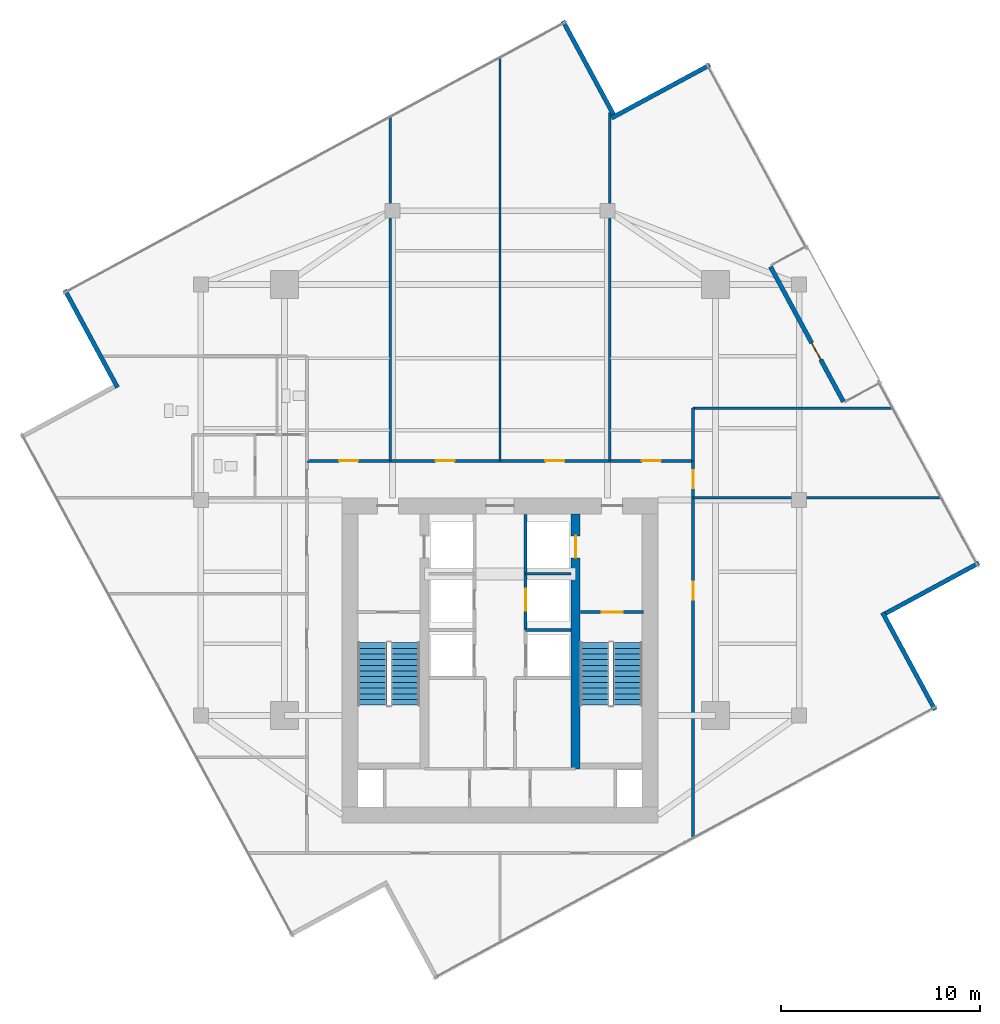
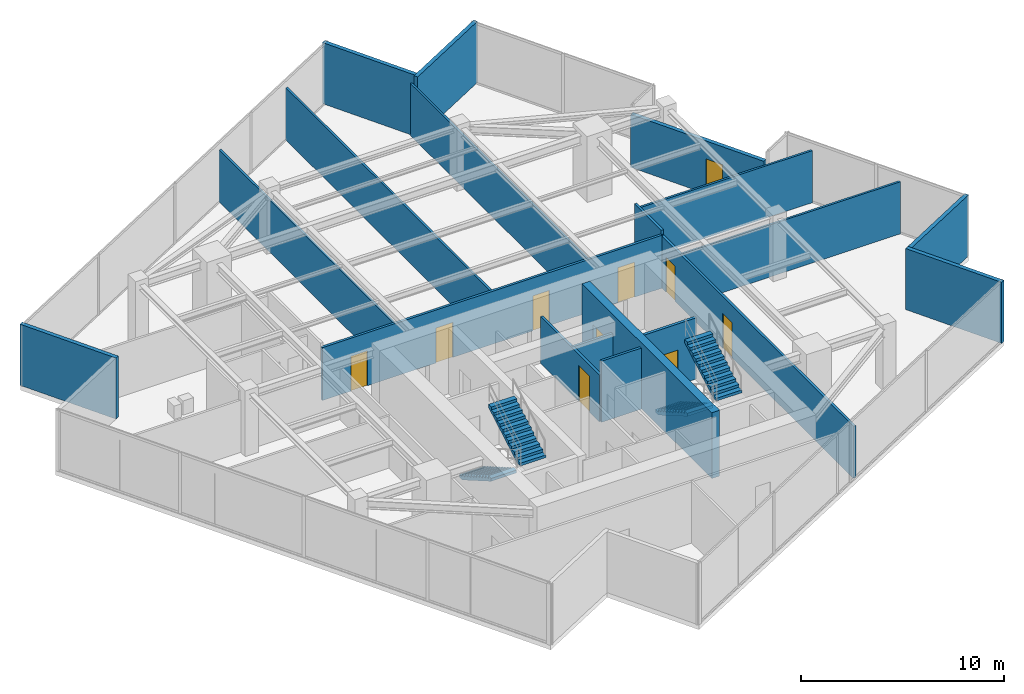
# One storey, part 20 of 22: 19 walls, 10 doors, 4 stair flights, 10 openings, 2 elements without a shape of their own.
"""IFC4 building model written with IfcOpenShell, lengths in metres."""

from ifc_helpers import new_model, si_unit, direction, frame, frame_2d, origin, place, context, subcontext, project, spatial, polyline, rectangle, outline, extrude, material, layer, layer_set, type_object, element, fill, aggregate, save


model = new_model("IFC4")

# Units and contexts
model_context = context("Model", 3, precision=1e-05, world=origin(), true_north=direction((0.0, 1.0)))
body_context = subcontext(model_context, "Body", "Model", "MODEL_VIEW")
ifc_project = project(units=[si_unit("LENGTHUNIT", "METRE"), si_unit("AREAUNIT", "SQUARE_METRE"), si_unit("VOLUMEUNIT", "CUBIC_METRE"), si_unit("PLANEANGLEUNIT", "RADIAN"), si_unit("MASSUNIT", "GRAM", prefix="KILO")], contexts=[model_context])

# Site, building, storey
site_placement = place(None, origin())
site = spatial("IfcSite", under=ifc_project, at=site_placement, CompositionType="ELEMENT")
building_placement = place(site_placement, origin())
building = spatial("IfcBuilding", under=site, at=building_placement, Name="Krantzveldt Concourse Tower", CompositionType="ELEMENT")
storey_placement = place(building_placement, frame((0.0, 0.0, 302.949951171875)))
storey = spatial("IfcBuildingStorey", under=building, at=storey_placement, Name="L74", CompositionType="ELEMENT", Elevation=302.949951171875)

# Walls
ifc_material_1 = material(Name="Anodised aluminium 6063-T6", Category="aluminium")
ifc_layer_1 = layer(ifc_material_1, 0.219970703125, Name="Anodised aluminium 6063-T6", Category="aluminium")
ifc_layer_set_1 = layer_set([ifc_layer_1], Name="Anodised aluminium 6063-T6 (WL-EXT-NOTCH220)")
wall_type_1 = type_object("IfcWallType", Name="WL-EXT-NOTCH220", PredefinedType="ELEMENTEDWALL", material=ifc_layer_set_1)
wall_1_placement = place(storey_placement, frame((41.689208984375, 46.025634765625, 0.0), z_axis=(0.0, 0.0, 1.0), x_axis=(-0.475250431035, 0.879850571291, 0.0)))
element("IfcWall", 1, at=wall_1_placement, inside=storey, type_object=wall_type_1, Name="EW-L74-NCH00", PredefinedType="ELEMENTEDWALL", context=body_context, shape_type="SweptSolid", body=[
    extrude(rectangle(XDim=5.3251953125, YDim=0.219970703125, at=frame_2d((2.66259765625, 0.0))), origin(), (0.0, 0.0, 1.0), 3.670166015625),
])
for number, where, z_axis, x_axis, name in (
    (2, (14.188232421875, 37.223388671875, 0.0), (0.0, 0.0, 1.0), (0.475257315172, -0.879846852796, 0.0), "EW-L74-NCH02"),
    (3, (57.811767578125, 16.176513671875, 0.0), (0.0, 0.0, 1.0), (-0.475257315172, 0.879846852796, 0.0), "EW-L74-NCH08"),
):
    element("IfcWall", number, at=place(storey_placement, frame(where, z_axis=z_axis, x_axis=x_axis)), inside=storey, type_object=wall_type_1, Name=name, PredefinedType="ELEMENTEDWALL", context=body_context, shape_type="SweptSolid", body=[
        extrude(rectangle(XDim=5.544921875, YDim=0.219970703125, at=frame_2d((2.7724609375, 0.0))), origin(), (0.0, 0.0, 1.0), 3.670166015625),
    ])
wall_2_placement = place(storey_placement, frame((55.32568359375, 21.0107421875, 0.0), z_axis=(0.0, 0.0, 1.0), x_axis=(0.879840215515, 0.475269602607, 0.0)))
element("IfcWall", 4, at=wall_2_placement, inside=storey, type_object=wall_type_1, Name="EW-L74-NCH09", PredefinedType="ELEMENTEDWALL", context=body_context, shape_type="SweptSolid", body=[
    extrude(rectangle(XDim=5.324951171875, YDim=0.219970703125, at=frame_2d((2.66259765625, 0.0))), origin(), (0.0, 0.0, 1.0), 3.670166015625),
])

# Wall, opening, door
wall_3_placement = place(storey_placement, frame((49.561279296875, 38.39501953125, 0.0), z_axis=(0.0, 0.0, 1.0), x_axis=(0.475258045718, -0.879846458185, 0.0)))
wall_3 = element("IfcWall", 5, at=wall_3_placement, inside=storey, type_object=wall_type_1, Name="EW-L74-TSLOT", PredefinedType="ELEMENTEDWALL", context=body_context, shape_type="SweptSolid", body=[
    extrude(rectangle(XDim=7.690185546875, YDim=0.219970703125, at=frame_2d((3.84521484375, 0.0))), origin(), (0.0, 0.0, 1.0), 3.179931640625),
])
opening_1_placement = place(wall_3_placement, frame((4.34326171875, 0.0, 0.0)))
opening_1 = element("IfcOpeningElement", 6, at=opening_1_placement, cuts=wall_3, Name="Opening D-EX95", PredefinedType="OPENING", context=body_context, shape_type="SweptSolid", body=[
    extrude(rectangle(XDim=0.949951171875, YDim=2.10009765625, at=frame_2d((0.47509765625, 1.050048828125))), frame((0.0, 0.1201171875, 0.0), z_axis=(0.0, -1.0, 0.0), x_axis=(1.0, 0.0, 0.0)), (0.0, 0.0, 1.0), 0.239990234375),
])
door_type_1 = type_object("IfcDoorType", Name="DR-EXT-950", OperationType="SINGLE_SWING_LEFT", PredefinedType="DOOR", material=ifc_material_1)
door_1_placement = place(opening_1_placement, origin())
door_1 = element("IfcDoor", 7, at=door_1_placement, inside=storey, type_object=door_type_1, Name="DR-L74-TERR", OperationType="SINGLE_SWING_LEFT", OverallHeight=2.10009765625, OverallWidth=0.949951171875, PredefinedType="DOOR", context=body_context, shape_type="SweptSolid", body=[
    extrude(rectangle(XDim=0.949951171875, YDim=2.10009765625, at=frame_2d((0.47509765625, 1.050048828125))), frame((0.0, 0.02490234375, 0.0), z_axis=(0.0, -1.0, 0.0), x_axis=(1.0, 0.0, 0.0)), (0.0, 0.0, 1.0), 0.050048828125),
])
fill(opening_1, door_1)

# Walls
wall_4_placement = place(storey_placement, frame((46.5234375, 48.51171875, 0.0), z_axis=(0.0, 0.0, 1.0), x_axis=(-0.879863910566, -0.475225734661, 0.0)))
element("IfcWall", 8, at=wall_4_placement, inside=storey, type_object=wall_type_1, Name="EW-L74-NCH15", PredefinedType="ELEMENTEDWALL", context=body_context, shape_type="SweptSolid", body=[
    extrude(rectangle(XDim=5.610107421875, YDim=0.219970703125, at=frame_2d((2.80517578125, 0.0))), origin(), (0.0, 0.0, 1.0), 3.670166015625),
])
ifc_material_2 = material(Name="Fire-rated gypsum plasterboard on steel stud", Category="steel")
ifc_layer_2 = layer(ifc_material_2, 0.1201171875, Name="Fire-rated gypsum plasterboard on steel stud", Category="steel")
ifc_layer_set_2 = layer_set([ifc_layer_2], Name="Fire-rated gypsum plasterboard on steel stud (WL-PART-120)")
wall_type_2 = type_object("IfcWallType", Name="WL-PART-120", PredefinedType="PARTITIONING", material=ifc_layer_set_2)
wall_5_placement = place(storey_placement, frame((45.679931640625, 26.820068359375, 0.0), z_axis=(0.0, 0.0, 1.0), x_axis=(1.0, 0.0, 0.0)))
element("IfcWall", 9, at=wall_5_placement, inside=storey, type_object=wall_type_2, Name="WP-L74-PNTS", PredefinedType="PARTITIONING", context=body_context, shape_type="SweptSolid", body=[
    extrude(rectangle(XDim=12.429443359375, YDim=0.1201171875, at=frame_2d((6.21484375, 0.0))), origin(), (0.0, 0.0, 1.0), 3.130126953125),
])
wall_6_placement = place(storey_placement, frame((45.679931640625, 31.300048828125, 0.0), z_axis=(0.0, 0.0, 1.0), x_axis=(1.0, 0.0, 0.0)))
element("IfcWall", 10, at=wall_6_placement, inside=storey, type_object=wall_type_2, Name="WP-L74-PNTN", PredefinedType="PARTITIONING", context=body_context, shape_type="SweptSolid", body=[
    extrude(rectangle(XDim=10.009521484375, YDim=0.1201171875, at=frame_2d((5.0048828125, 0.0))), origin(), (0.0, 0.0, 1.0), 3.130126953125),
])
wall_7_placement = place(storey_placement, frame((30.5, 28.659912109375, 0.0), z_axis=(0.0, 0.0, 1.0), x_axis=(0.0, 1.0, 0.0)))
element("IfcWall", 11, at=wall_7_placement, inside=storey, type_object=wall_type_2, Name="WP-L74-ND1", PredefinedType="PARTITIONING", context=body_context, shape_type="SweptSolid", body=[
    extrude(rectangle(XDim=17.243408203125, YDim=0.1201171875, at=frame_2d((8.62158203125, 0.0))), origin(), (0.0, 0.0, 1.0), 3.130126953125),
])
wall_8_placement = place(storey_placement, frame((36.0, 28.659912109375, 0.0), z_axis=(0.0, 0.0, 1.0), x_axis=(0.0, 1.0, 0.0)))
element("IfcWall", 12, at=wall_8_placement, inside=storey, type_object=wall_type_2, Name="WP-L74-ND2", PredefinedType="PARTITIONING", context=body_context, shape_type="SweptSolid", body=[
    extrude(rectangle(XDim=20.214111328125, YDim=0.1201171875, at=frame_2d((10.10693359375, 0.0))), origin(), (0.0, 0.0, 1.0), 3.130126953125),
])
wall_9_placement = place(storey_placement, frame((41.5, 28.659912109375, 0.0), z_axis=(0.0, 0.0, 1.0), x_axis=(0.0, 1.0, 0.0)))
element("IfcWall", 13, at=wall_9_placement, inside=storey, type_object=wall_type_2, Name="WP-L74-ND3", PredefinedType="PARTITIONING", context=body_context, shape_type="SweptSolid", body=[
    extrude(rectangle(XDim=17.47412109375, YDim=0.1201171875, at=frame_2d((8.737060546875, 0.0))), origin(), (0.0, 0.0, 1.0), 3.130126953125),
])

# Wall, openings, doors
ifc_layer_3 = layer(ifc_material_2, 0.139892578125, Name="Fire-rated gypsum plasterboard on steel stud", Category="steel")
ifc_layer_set_3 = layer_set([ifc_layer_3], Name="Fire-rated gypsum plasterboard on steel stud (WL-PART-140)")
wall_type_3 = type_object("IfcWallType", Name="WL-PART-140", PredefinedType="PARTITIONING", material=ifc_layer_set_3)
wall_10_placement = place(storey_placement, frame((26.320068359375, 28.659912109375, 0.0), z_axis=(0.0, 0.0, 1.0), x_axis=(1.0, 0.0, 0.0)))
wall_10 = element("IfcWall", 14, at=wall_10_placement, inside=storey, type_object=wall_type_3, Name="WP-L74-CNHDR", PredefinedType="PARTITIONING", context=body_context, shape_type="SweptSolid", body=[
    extrude(rectangle(XDim=19.35986328125, YDim=0.139892578125, at=frame_2d((9.679931640625, 0.0))), origin(), (0.0, 0.0, 1.0), 3.179931640625),
])
opening_2_placement = place(wall_10_placement, frame((1.614990234375, 0.0, 0.0)))
opening_2 = element("IfcOpeningElement", 15, at=opening_2_placement, cuts=wall_10, Name="Opening D-IN095", PredefinedType="OPENING", context=body_context, shape_type="SweptSolid", body=[
    extrude(rectangle(XDim=0.949951171875, YDim=2.10009765625, at=frame_2d((0.47509765625, 1.050048828125))), frame((0.0, 0.080078125, 0.0), z_axis=(0.0, -1.0, 0.0), x_axis=(1.0, 0.0, 0.0)), (0.0, 0.0, 1.0), 0.159912109375),
])
opening_3_placement = place(wall_10_placement, frame((6.455078125, 0.0, 0.0)))
opening_3 = element("IfcOpeningElement", 16, at=opening_3_placement, cuts=wall_10, Name="Opening D-IN095", PredefinedType="OPENING", context=body_context, shape_type="SweptSolid", body=[
    extrude(rectangle(XDim=0.949951171875, YDim=2.10009765625, at=frame_2d((0.47509765625, 1.050048828125))), frame((0.0, 0.080078125, 0.0), z_axis=(0.0, -1.0, 0.0), x_axis=(1.0, 0.0, 0.0)), (0.0, 0.0, 1.0), 0.159912109375),
])
opening_4_placement = place(wall_10_placement, frame((11.955078125, 0.0, 0.0)))
opening_4 = element("IfcOpeningElement", 17, at=opening_4_placement, cuts=wall_10, Name="Opening D-IN095", PredefinedType="OPENING", context=body_context, shape_type="SweptSolid", body=[
    extrude(rectangle(XDim=0.949951171875, YDim=2.10009765625, at=frame_2d((0.47509765625, 1.050048828125))), frame((0.0, 0.080078125, 0.0), z_axis=(0.0, -1.0, 0.0), x_axis=(1.0, 0.0, 0.0)), (0.0, 0.0, 1.0), 0.159912109375),
])
opening_5_placement = place(wall_10_placement, frame((16.794921875, 0.0, 0.0)))
opening_5 = element("IfcOpeningElement", 18, at=opening_5_placement, cuts=wall_10, Name="Opening D-IN095", PredefinedType="OPENING", context=body_context, shape_type="SweptSolid", body=[
    extrude(rectangle(XDim=0.949951171875, YDim=2.10009765625, at=frame_2d((0.47509765625, 1.050048828125))), frame((0.0, 0.080078125, 0.0), z_axis=(0.0, -1.0, 0.0), x_axis=(1.0, 0.0, 0.0)), (0.0, 0.0, 1.0), 0.159912109375),
])
ifc_material_3 = material(Name="Hardwood timber", Category="wood")
door_type_2 = type_object("IfcDoorType", Name="DR-INT-950", OperationType="SINGLE_SWING_LEFT", PredefinedType="DOOR", material=ifc_material_3)
door_2_placement = place(opening_2_placement, origin())
door_2 = element("IfcDoor", 19, at=door_2_placement, inside=storey, type_object=door_type_2, Name="DR-L74-NR1", OperationType="SINGLE_SWING_LEFT", OverallHeight=2.10009765625, OverallWidth=0.949951171875, PredefinedType="DOOR", context=body_context, shape_type="SweptSolid", body=[
    extrude(rectangle(XDim=0.949951171875, YDim=2.10009765625, at=frame_2d((0.47509765625, 1.050048828125))), frame((0.0, 0.02490234375, 0.0), z_axis=(0.0, -1.0, 0.0), x_axis=(1.0, 0.0, 0.0)), (0.0, 0.0, 1.0), 0.050048828125),
])
fill(opening_2, door_2)
door_3_placement = place(opening_3_placement, origin())
door_3 = element("IfcDoor", 20, at=door_3_placement, inside=storey, type_object=door_type_2, Name="DR-L74-NR2", OperationType="SINGLE_SWING_LEFT", OverallHeight=2.10009765625, OverallWidth=0.949951171875, PredefinedType="DOOR", context=body_context, shape_type="SweptSolid", body=[
    extrude(rectangle(XDim=0.949951171875, YDim=2.10009765625, at=frame_2d((0.47509765625, 1.050048828125))), frame((0.0, 0.02490234375, 0.0), z_axis=(0.0, -1.0, 0.0), x_axis=(1.0, 0.0, 0.0)), (0.0, 0.0, 1.0), 0.050048828125),
])
fill(opening_3, door_3)
door_4_placement = place(opening_4_placement, origin())
door_4 = element("IfcDoor", 21, at=door_4_placement, inside=storey, type_object=door_type_2, Name="DR-L74-NR3", OperationType="SINGLE_SWING_LEFT", OverallHeight=2.10009765625, OverallWidth=0.949951171875, PredefinedType="DOOR", context=body_context, shape_type="SweptSolid", body=[
    extrude(rectangle(XDim=0.949951171875, YDim=2.10009765625, at=frame_2d((0.47509765625, 1.050048828125))), frame((0.0, 0.02490234375, 0.0), z_axis=(0.0, -1.0, 0.0), x_axis=(1.0, 0.0, 0.0)), (0.0, 0.0, 1.0), 0.050048828125),
])
fill(opening_4, door_4)
door_5_placement = place(opening_5_placement, origin())
door_5 = element("IfcDoor", 22, at=door_5_placement, inside=storey, type_object=door_type_2, Name="DR-L74-NR4", OperationType="SINGLE_SWING_LEFT", OverallHeight=2.10009765625, OverallWidth=0.949951171875, PredefinedType="DOOR", context=body_context, shape_type="SweptSolid", body=[
    extrude(rectangle(XDim=0.949951171875, YDim=2.10009765625, at=frame_2d((0.47509765625, 1.050048828125))), frame((0.0, 0.02490234375, 0.0), z_axis=(0.0, -1.0, 0.0), x_axis=(1.0, 0.0, 0.0)), (0.0, 0.0, 1.0), 0.050048828125),
])
fill(opening_5, door_5)

wall_11_placement = place(storey_placement, frame((45.679931640625, 9.75439453125, 0.0), z_axis=(0.0, 0.0, 1.0), x_axis=(0.0, 1.0, 0.0)))
wall_11 = element("IfcWall", 23, at=wall_11_placement, inside=storey, type_object=wall_type_3, Name="WP-L74-CEAST", PredefinedType="PARTITIONING", context=body_context, shape_type="SweptSolid", body=[
    extrude(rectangle(XDim=18.905517578125, YDim=0.139892578125, at=frame_2d((9.45263671875, 0.0))), origin(), (0.0, 0.0, 1.0), 3.130126953125),
])
opening_6_placement = place(wall_11_placement, frame((17.545654296875, 0.0, 0.0)))
opening_6 = element("IfcOpeningElement", 24, at=opening_6_placement, cuts=wall_11, Name="Opening D-IN090", PredefinedType="OPENING", context=body_context, shape_type="SweptSolid", body=[
    extrude(rectangle(XDim=0.89990234375, YDim=2.10009765625, at=frame_2d((0.449951171875, 1.050048828125))), frame((0.0, 0.080078125, 0.0), z_axis=(0.0, -1.0, 0.0), x_axis=(1.0, 0.0, 0.0)), (0.0, 0.0, 1.0), 0.159912109375),
])
opening_7_placement = place(wall_11_placement, frame((11.95556640625, 0.0, 0.0)))
opening_7 = element("IfcOpeningElement", 25, at=opening_7_placement, cuts=wall_11, Name="Opening D-IN090", PredefinedType="OPENING", context=body_context, shape_type="SweptSolid", body=[
    extrude(rectangle(XDim=0.89990234375, YDim=2.10009765625, at=frame_2d((0.449951171875, 1.050048828125))), frame((0.0, 0.080078125, 0.0), z_axis=(0.0, -1.0, 0.0), x_axis=(1.0, 0.0, 0.0)), (0.0, 0.0, 1.0), 0.159912109375),
])
door_type_3 = type_object("IfcDoorType", Name="DR-INT-900", OperationType="SINGLE_SWING_LEFT", PredefinedType="DOOR", material=ifc_material_3)
door_6_placement = place(opening_6_placement, origin())
door_6 = element("IfcDoor", 26, at=door_6_placement, inside=storey, type_object=door_type_3, Name="DR-L74-PNT", OperationType="SINGLE_SWING_RIGHT", OverallHeight=2.10009765625, OverallWidth=0.89990234375, PredefinedType="DOOR", context=body_context, shape_type="SweptSolid", body=[
    extrude(rectangle(XDim=0.89990234375, YDim=2.10009765625, at=frame_2d((0.449951171875, 1.050048828125))), frame((0.0, 0.02490234375, 0.0), z_axis=(0.0, -1.0, 0.0), x_axis=(1.0, 0.0, 0.0)), (0.0, 0.0, 1.0), 0.050048828125),
])
fill(opening_6, door_6)
door_7_placement = place(opening_7_placement, origin())
door_7 = element("IfcDoor", 27, at=door_7_placement, inside=storey, type_object=door_type_3, Name="DR-L74-ER1", OperationType="SINGLE_SWING_LEFT", OverallHeight=2.10009765625, OverallWidth=0.89990234375, PredefinedType="DOOR", context=body_context, shape_type="SweptSolid", body=[
    extrude(rectangle(XDim=0.89990234375, YDim=2.10009765625, at=frame_2d((0.449951171875, 1.050048828125))), frame((0.0, 0.02490234375, 0.0), z_axis=(0.0, -1.0, 0.0), x_axis=(1.0, 0.0, 0.0)), (0.0, 0.0, 1.0), 0.050048828125),
])
fill(opening_7, door_7)

# Wall
wall_12_placement = place(storey_placement, frame((45.679931640625, 28.659912109375, 0.0), z_axis=(0.0, 0.0, 1.0), x_axis=(0.0, 1.0, 0.0)))
element("IfcWall", 28, at=wall_12_placement, inside=storey, type_object=wall_type_3, Name="WP-L74-NER", PredefinedType="PARTITIONING", context=body_context, shape_type="SweptSolid", body=[
    extrude(rectangle(XDim=2.64013671875, YDim=0.139892578125, at=frame_2d((1.320068359375, 0.0))), origin(), (0.0, 0.0, 1.0), 3.429931640625),
])

# Wall, opening, door
ifc_layer_4 = layer(ifc_material_2, 0.139892578125, Name="Fire-rated gypsum plasterboard on steel stud", Category="steel")
ifc_layer_set_4 = layer_set([ifc_layer_4], Name="Fire-rated gypsum plasterboard on steel stud (WL-PART-FR140)")
wall_type_4 = type_object("IfcWallType", Name="WL-PART-FR140", PredefinedType="PARTITIONING", material=ifc_layer_set_4)
wall_13_placement = place(storey_placement, frame((37.280029296875, 20.199951171875, 0.0), z_axis=(0.0, 0.0, 1.0), x_axis=(0.0, 1.0, 0.0)))
wall_13 = element("IfcWall", 29, at=wall_13_placement, inside=storey, type_object=wall_type_4, Name="WP-L74-SHNE", PredefinedType="PARTITIONING", context=body_context, shape_type="SweptSolid", body=[
    extrude(rectangle(XDim=5.780029296875, YDim=0.139892578125, at=frame_2d((2.89013671875, 0.0))), origin(), (0.0, 0.0, 1.0), 2.820068359375),
])
opening_8_placement = place(wall_13_placement, frame((0.949951171875, 0.0, 0.0)))
opening_8 = element("IfcOpeningElement", 30, at=opening_8_placement, cuts=wall_13, Name="Opening LD", PredefinedType="OPENING", context=body_context, shape_type="SweptSolid", body=[
    extrude(rectangle(XDim=1.10009765625, YDim=2.14990234375, at=frame_2d((0.550048828125, 1.074951171875))), frame((0.0, 0.080078125, 0.0), z_axis=(0.0, -1.0, 0.0), x_axis=(1.0, 0.0, 0.0)), (0.0, 0.0, 1.0), 0.159912109375),
])
ifc_material_4 = material(Name="Stainless steel 316L", Category="steel")
door_type_4 = type_object("IfcDoorType", Name="DR-SLIDE-LD1100", OperationType="DOUBLE_DOOR_SLIDING", PredefinedType="DOOR", material=ifc_material_4)
door_8_placement = place(opening_8_placement, origin())
door_8 = element("IfcDoor", 31, at=door_8_placement, inside=storey, type_object=door_type_4, Name="LD-L74-GL1", OperationType="DOUBLE_DOOR_SLIDING", OverallHeight=2.14990234375, OverallWidth=1.10009765625, PredefinedType="DOOR", context=body_context, shape_type="SweptSolid", body=[
    extrude(rectangle(XDim=1.10009765625, YDim=2.14990234375, at=frame_2d((0.550048828125, 1.074951171875))), frame((0.0, 0.02490234375, 0.0), z_axis=(0.0, -1.0, 0.0), x_axis=(1.0, 0.0, 0.0)), (0.0, 0.0, 1.0), 0.050048828125),
])
fill(opening_8, door_8)

# Walls
wall_14_placement = place(storey_placement, frame((37.280029296875, 23.0, 0.0), z_axis=(0.0, 0.0, 1.0), x_axis=(1.0, 0.0, 0.0)))
element("IfcWall", 32, at=wall_14_placement, inside=storey, type_object=wall_type_4, Name="WP-L74-GLH", PredefinedType="PARTITIONING", context=body_context, shape_type="SweptSolid", body=[
    extrude(rectangle(XDim=2.27001953125, YDim=0.139892578125, at=frame_2d((1.135009765625, 0.0))), origin(), (0.0, 0.0, 1.0), 2.820068359375),
])
wall_15_placement = place(storey_placement, frame((37.280029296875, 20.179931640625, 0.0), z_axis=(0.0, 0.0, 1.0), x_axis=(1.0, 0.0, 0.0)))
element("IfcWall", 33, at=wall_15_placement, inside=storey, type_object=wall_type_4, Name="WP-L74-DIVE3", PredefinedType="PARTITIONING", context=body_context, shape_type="SweptSolid", body=[
    extrude(rectangle(XDim=2.27001953125, YDim=0.139892578125, at=frame_2d((1.135009765625, 0.0))), origin(), (0.0, 0.0, 1.0), 3.670166015625),
])

# Wall, opening, door
ifc_layer_5 = layer(ifc_material_2, 0.159912109375, Name="Fire-rated gypsum plasterboard on steel stud", Category="steel")
ifc_layer_set_5 = layer_set([ifc_layer_5], Name="Fire-rated gypsum plasterboard on steel stud (WL-PART-FR160)")
wall_type_5 = type_object("IfcWallType", Name="WL-PART-FR160", PredefinedType="PARTITIONING", material=ifc_layer_set_5)
wall_16_placement = place(storey_placement, frame((40.0400390625, 21.080078125, 0.0), z_axis=(0.0, 0.0, 1.0), x_axis=(1.0, 0.0, 0.0)))
wall_16 = element("IfcWall", 34, at=wall_16_placement, inside=storey, type_object=wall_type_5, Name="WP-L74-ST2", PredefinedType="PARTITIONING", context=body_context, shape_type="SweptSolid", body=[
    extrude(rectangle(XDim=3.159912109375, YDim=0.159912109375, at=frame_2d((1.580078125, 0.0))), origin(), (0.0, 0.0, 1.0), 3.670166015625),
])
opening_9_placement = place(wall_16_placement, frame((1.054931640625, 0.0, 0.0)))
opening_9 = element("IfcOpeningElement", 35, at=opening_9_placement, cuts=wall_16, Name="Opening D-FD105", PredefinedType="OPENING", context=body_context, shape_type="SweptSolid", body=[
    extrude(rectangle(XDim=1.050048828125, YDim=2.10009765625, at=frame_2d((0.52490234375, 1.050048828125))), frame((0.0, 0.08984375, 0.0), z_axis=(0.0, -1.0, 0.0), x_axis=(1.0, 0.0, 0.0)), (0.0, 0.0, 1.0), 0.179931640625),
])
ifc_material_5 = material(Name="Galvanised steel", Category="steel")
door_type_5 = type_object("IfcDoorType", Name="DR-FD120-1050", OperationType="SINGLE_SWING_LEFT", PredefinedType="DOOR", material=ifc_material_5)
door_9_placement = place(opening_9_placement, origin())
door_9 = element("IfcDoor", 36, at=door_9_placement, inside=storey, type_object=door_type_5, Name="DR-L74-ST2", OperationType="SINGLE_SWING_LEFT", OverallHeight=2.10009765625, OverallWidth=1.050048828125, PredefinedType="DOOR", context=body_context, shape_type="SweptSolid", body=[
    extrude(rectangle(XDim=1.050048828125, YDim=2.10009765625, at=frame_2d((0.52490234375, 1.050048828125))), frame((0.0, 0.02490234375, 0.0), z_axis=(0.0, -1.0, 0.0), x_axis=(1.0, 0.0, 0.0)), (0.0, 0.0, 1.0), 0.050048828125),
])
fill(opening_9, door_9)

ifc_material_6 = material(Name="Concrete C50/60", Category="concrete")
ifc_layer_6 = layer(ifc_material_6, 0.449951171875, Name="Concrete C50/60", Category="concrete")
ifc_layer_set_6 = layer_set([ifc_layer_6], Name="Concrete C50/60 (WL-SHEAR-450)")
wall_type_6 = type_object("IfcWallType", Name="WL-SHEAR-450", PredefinedType="SHEAR", material=ifc_layer_set_6)
wall_17_placement = place(storey_placement, frame((39.794921875, 13.219970703125, 0.0), z_axis=(0.0, 0.0, 1.0), x_axis=(0.0, 1.0, 0.0)))
wall_17 = element("IfcWall", 37, at=wall_17_placement, inside=storey, type_object=wall_type_6, Name="CW-L74-IE", PredefinedType="SHEAR", context=body_context, shape_type="SweptSolid", body=[
    extrude(rectangle(XDim=12.780029296875, YDim=0.449951171875, at=frame_2d((6.39013671875, 0.0))), origin(), (0.0, 0.0, 1.0), 3.949951171875),
])
opening_10_placement = place(wall_17_placement, frame((10.580078125, 0.0, 0.0)))
opening_10 = element("IfcOpeningElement", 38, at=opening_10_placement, cuts=wall_17, Name="Opening LD", PredefinedType="OPENING", context=body_context, shape_type="SweptSolid", body=[
    extrude(rectangle(XDim=1.10009765625, YDim=2.14990234375, at=frame_2d((0.550048828125, 1.074951171875))), frame((0.0, 0.23486328125, 0.0), z_axis=(0.0, -1.0, 0.0), x_axis=(1.0, 0.0, 0.0)), (0.0, 0.0, 1.0), 0.469970703125),
])
door_10_placement = place(opening_10_placement, origin())
door_10 = element("IfcDoor", 39, at=door_10_placement, inside=storey, type_object=door_type_4, Name="LD-L74-FL2", OperationType="DOUBLE_DOOR_SLIDING", OverallHeight=2.14990234375, OverallWidth=1.10009765625, PredefinedType="DOOR", context=body_context, shape_type="SweptSolid", body=[
    extrude(rectangle(XDim=1.10009765625, YDim=2.14990234375, at=frame_2d((0.550048828125, 1.074951171875))), frame((0.0, 0.02490234375, 0.0), z_axis=(0.0, -1.0, 0.0), x_axis=(1.0, 0.0, 0.0)), (0.0, 0.0, 1.0), 0.050048828125),
])
fill(opening_10, door_10)

# Stair, stair flights
ifc_material_7 = material(Name="Precast concrete C40/50", Category="concrete")
stair_type = type_object("IfcStairType", Name="STR-CORE-DOGLEG", PredefinedType="HALF_TURN_STAIR", material=ifc_material_7)
stair_1_placement = place(storey_placement, origin())
stair_1 = element("IfcStair", 40, at=stair_1_placement, inside=storey, type_object=stair_type, Name="L74 Protected Escape Stair ST-1", PredefinedType="HALF_TURN_STAIR")
stair_flight_type = type_object("IfcStairFlightType", Name="STF-CORE-1450", PredefinedType="STRAIGHT", material=ifc_material_7)
stair_flight_1_placement = place(storey_placement, frame((29.60498046875, 19.550048828125, 0.0), z_axis=(0.0, 0.0, 1.0), x_axis=(0.0, -1.0, 0.0)))
stair_flight_1 = element("IfcStairFlight", 41, at=stair_flight_1_placement, type_object=stair_flight_type, Name="ST-1 flight 1", NumberOfRisers=12, NumberOfTreads=11, PredefinedType="STRAIGHT", RiserHeight=0.164583333, TreadLength=0.285, context=body_context, shape_type="SweptSolid", body=[
    extrude(outline(polyline([(0.0, 0.0), (0.0, 0.16455078125), (0.284912109375, 0.16455078125), (0.284912109375, 0.3291015625), (0.570068359375, 0.3291015625), (0.570068359375, 0.49365234375), (0.85498046875, 0.49365234375), (0.85498046875, 0.658447265625), (1.139892578125, 0.658447265625), (1.139892578125, 0.822998046875), (1.425048828125, 0.822998046875), (1.425048828125, 0.987548828125), (1.7099609375, 0.987548828125), (1.7099609375, 1.152099609375), (1.9951171875, 1.152099609375), (1.9951171875, 1.316650390625), (2.280029296875, 1.316650390625), (2.280029296875, 1.481201171875), (2.56494140625, 1.481201171875), (2.56494140625, 1.645751953125), (2.85009765625, 1.645751953125), (2.85009765625, 1.810302734375), (3.135009765625, 1.810302734375), (3.135009765625, 1.97509765625), (3.135009765625, 1.63720703125), (0.2998046875, 0.0), (0.0, 0.0)])), frame((0.0, 0.72509765625, 0.0), z_axis=(0.0, -1.0, 0.0), x_axis=(1.0, 0.0, 0.0)), (0.0, 0.0, 1.0), 1.449951171875),
])
stair_flight_2_placement = place(storey_placement, frame((31.2548828125, 16.4150390625, 1.97509765625), z_axis=(0.0, 0.0, 1.0), x_axis=(0.0, 1.0, 0.0)))
stair_flight_2 = element("IfcStairFlight", 42, at=stair_flight_2_placement, type_object=stair_flight_type, Name="ST-1 flight 2", NumberOfRisers=12, NumberOfTreads=11, PredefinedType="STRAIGHT", RiserHeight=0.164583333, TreadLength=0.285, context=body_context, shape_type="SweptSolid", body=[
    extrude(outline(polyline([(0.0, 0.0), (0.0, 0.16455078125), (0.284912109375, 0.16455078125), (0.284912109375, 0.3291015625), (0.570068359375, 0.3291015625), (0.570068359375, 0.49365234375), (0.85498046875, 0.49365234375), (0.85498046875, 0.658447265625), (1.139892578125, 0.658447265625), (1.139892578125, 0.822998046875), (1.425048828125, 0.822998046875), (1.425048828125, 0.987548828125), (1.7099609375, 0.987548828125), (1.7099609375, 1.152099609375), (1.9951171875, 1.152099609375), (1.9951171875, 1.316650390625), (2.280029296875, 1.316650390625), (2.280029296875, 1.481201171875), (2.56494140625, 1.481201171875), (2.56494140625, 1.645751953125), (2.85009765625, 1.645751953125), (2.85009765625, 1.810302734375), (3.135009765625, 1.810302734375), (3.135009765625, 1.97509765625), (3.135009765625, 1.63720703125), (0.2998046875, 0.0), (0.0, 0.0)])), frame((0.0, 0.72509765625, 0.0), z_axis=(0.0, -1.0, 0.0), x_axis=(1.0, 0.0, 0.0)), (0.0, 0.0, 1.0), 1.449951171875),
])
aggregate(stair_1, [stair_flight_1, stair_flight_2])

stair_2_placement = place(storey_placement, origin())
stair_2 = element("IfcStair", 43, at=stair_2_placement, inside=storey, type_object=stair_type, Name="L74 Protected Escape Stair ST-2", PredefinedType="HALF_TURN_STAIR")
stair_flight_3_placement = place(storey_placement, frame((40.7451171875, 19.550048828125, 0.0), z_axis=(0.0, 0.0, 1.0), x_axis=(0.0, -1.0, 0.0)))
stair_flight_3 = element("IfcStairFlight", 44, at=stair_flight_3_placement, type_object=stair_flight_type, Name="ST-2 flight 1", NumberOfRisers=12, NumberOfTreads=11, PredefinedType="STRAIGHT", RiserHeight=0.164583333, TreadLength=0.285, context=body_context, shape_type="SweptSolid", body=[
    extrude(outline(polyline([(0.0, 0.0), (0.0, 0.16455078125), (0.284912109375, 0.16455078125), (0.284912109375, 0.3291015625), (0.570068359375, 0.3291015625), (0.570068359375, 0.49365234375), (0.85498046875, 0.49365234375), (0.85498046875, 0.658447265625), (1.139892578125, 0.658447265625), (1.139892578125, 0.822998046875), (1.425048828125, 0.822998046875), (1.425048828125, 0.987548828125), (1.7099609375, 0.987548828125), (1.7099609375, 1.152099609375), (1.9951171875, 1.152099609375), (1.9951171875, 1.316650390625), (2.280029296875, 1.316650390625), (2.280029296875, 1.481201171875), (2.56494140625, 1.481201171875), (2.56494140625, 1.645751953125), (2.85009765625, 1.645751953125), (2.85009765625, 1.810302734375), (3.135009765625, 1.810302734375), (3.135009765625, 1.97509765625), (3.135009765625, 1.63720703125), (0.2998046875, 0.0), (0.0, 0.0)])), frame((0.0, 0.72509765625, 0.0), z_axis=(0.0, -1.0, 0.0), x_axis=(1.0, 0.0, 0.0)), (0.0, 0.0, 1.0), 1.449951171875),
])
stair_flight_4_placement = place(storey_placement, frame((42.39501953125, 16.4150390625, 1.97509765625), z_axis=(0.0, 0.0, 1.0), x_axis=(0.0, 1.0, 0.0)))
stair_flight_4 = element("IfcStairFlight", 45, at=stair_flight_4_placement, type_object=stair_flight_type, Name="ST-2 flight 2", NumberOfRisers=12, NumberOfTreads=11, PredefinedType="STRAIGHT", RiserHeight=0.164583333, TreadLength=0.285, context=body_context, shape_type="SweptSolid", body=[
    extrude(outline(polyline([(0.0, 0.0), (0.0, 0.16455078125), (0.284912109375, 0.16455078125), (0.284912109375, 0.3291015625), (0.570068359375, 0.3291015625), (0.570068359375, 0.49365234375), (0.85498046875, 0.49365234375), (0.85498046875, 0.658447265625), (1.139892578125, 0.658447265625), (1.139892578125, 0.822998046875), (1.425048828125, 0.822998046875), (1.425048828125, 0.987548828125), (1.7099609375, 0.987548828125), (1.7099609375, 1.152099609375), (1.9951171875, 1.152099609375), (1.9951171875, 1.316650390625), (2.280029296875, 1.316650390625), (2.280029296875, 1.481201171875), (2.56494140625, 1.481201171875), (2.56494140625, 1.645751953125), (2.85009765625, 1.645751953125), (2.85009765625, 1.810302734375), (3.135009765625, 1.810302734375), (3.135009765625, 1.97509765625), (3.135009765625, 1.63720703125), (0.2998046875, 0.0), (0.0, 0.0)])), frame((0.0, 0.72509765625, 0.0), z_axis=(0.0, -1.0, 0.0), x_axis=(1.0, 0.0, 0.0)), (0.0, 0.0, 1.0), 1.449951171875),
])
aggregate(stair_2, [stair_flight_3, stair_flight_4])

save(model, "model.ifc")
